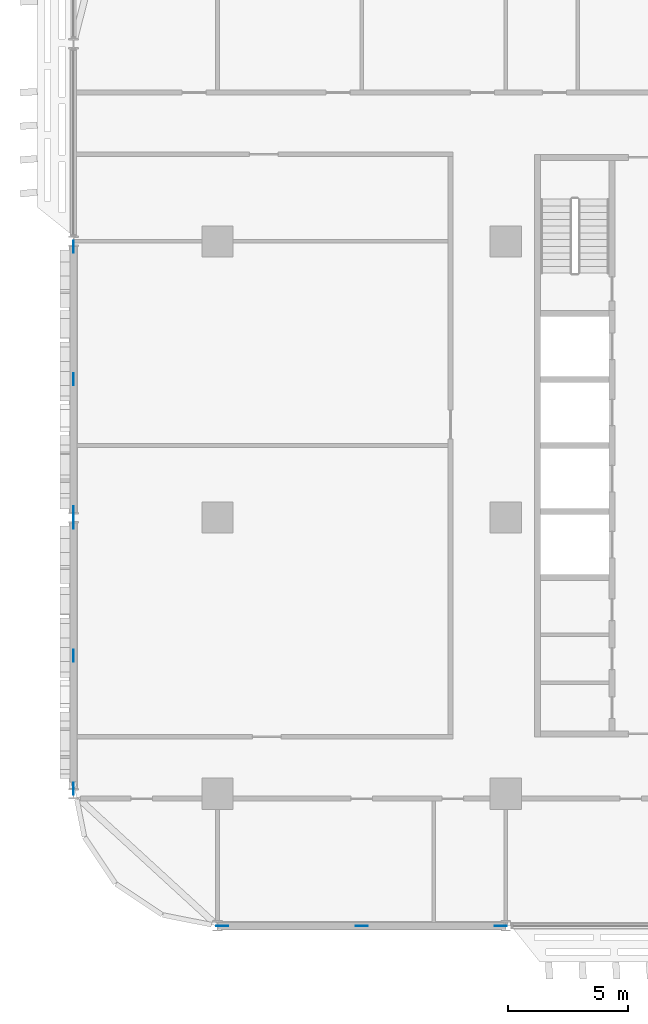
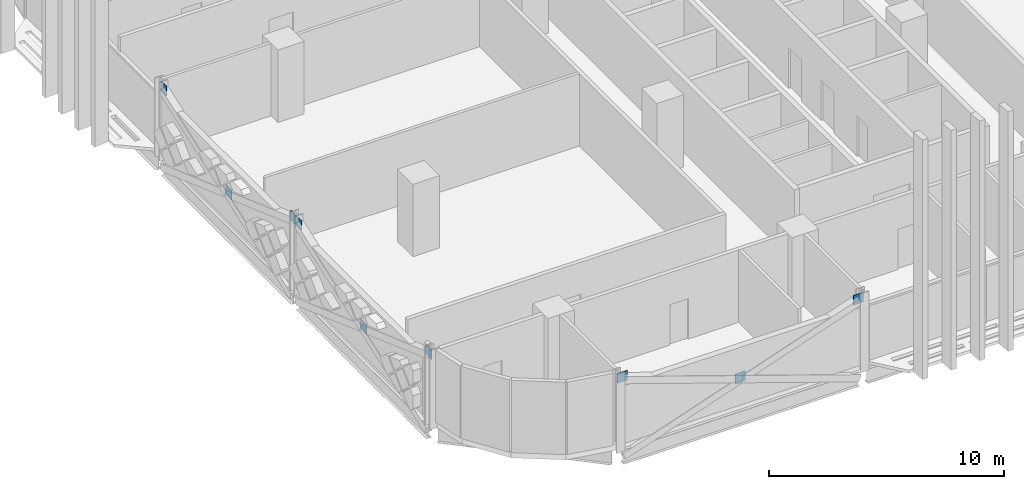
# One storey, part 20 of 32: 9 discrete accessories.
"""IFC4 building model written with IfcOpenShell, lengths in metres."""

from ifc_helpers import new_model, si_unit, direction, frame, origin, origin_2d, place, context, subcontext, project, spatial, rectangle, extrude, material, layer, layer_set, type_object, element, save


model = new_model("IFC4")

# Units and contexts
model_context = context("Model", 3, precision=1e-05, world=origin(), true_north=direction((0.0, 1.0)))
body_context = subcontext(model_context, "Body", "Model", "MODEL_VIEW")
ifc_project = project(units=[si_unit("LENGTHUNIT", "METRE"), si_unit("AREAUNIT", "SQUARE_METRE"), si_unit("VOLUMEUNIT", "CUBIC_METRE"), si_unit("PLANEANGLEUNIT", "RADIAN"), si_unit("MASSUNIT", "GRAM", prefix="KILO")], contexts=[model_context])

# Site, building, storey
site_placement = place(None, origin())
site = spatial("IfcSite", under=ifc_project, at=site_placement, CompositionType="ELEMENT")
building_placement = place(site_placement, origin())
building = spatial("IfcBuilding", under=site, at=building_placement, Name="Mahtab Terrace Research Tower", CompositionType="ELEMENT")
storey_placement = place(building_placement, frame((0.0, 0.0, 138.39990234375)))
storey = spatial("IfcBuildingStorey", under=building, at=storey_placement, Name="L32", CompositionType="ELEMENT", Elevation=138.39990234375)

# Discrete accessories
ifc_material = material(Name="Steel ASTM A992 Gr 50", Category="steel")
ifc_layer = layer(ifc_material, 0.030029296875)
ifc_layer_set = layer_set([ifc_layer], Name="Gusset plate 500x500x30")
discrete_accessory_type = type_object("IfcDiscreteAccessoryType", Name="Gusset plate 500x500x30", PredefinedType="USERDEFINED", material=ifc_layer_set)
for number, where, z_axis, x_axis, name in (
    (1, (-41.794189453125, -17.0, 3.131591796875), (0.0, 0.0, 1.0), (1.0, 0.0, 0.0), "Gusset plate"),
    (2, (-36.0, -17.0, 1.081787109375), (0.0, 0.0, 1.0), (1.0, 0.0, 0.0), "Gusset plate"),
    (3, (-30.205810546875, -17.0, 3.131591796875), (0.0, 0.0, 1.0), (1.0, 0.0, 0.0), "Gusset plate"),
    (4, (-48.0, -11.28271484375, 3.131591796875), (0.0, 0.0, 1.0), (0.0, 1.0, 0.0), "Gusset plate"),
    (5, (-48.0, -5.75, 1.081787109375), (0.0, 0.0, 1.0), (0.0, 1.0, 0.0), "Gusset plate"),
    (6, (-48.0, -0.21728515625, 3.131591796875), (0.0, 0.0, 1.0), (0.0, 1.0, 0.0), "Gusset plate"),
    (7, (-48.0, 0.21728515625, 3.131591796875), (0.0, 0.0, 1.0), (0.0, 1.0, 0.0), "Gusset plate"),
    (8, (-48.0, 5.75, 1.081787109375), (0.0, 0.0, 1.0), (0.0, 1.0, 0.0), "Gusset plate"),
    (9, (-48.0, 11.28271484375, 3.131591796875), (0.0, 0.0, 1.0), (0.0, 1.0, 0.0), "Gusset plate"),
):
    element("IfcDiscreteAccessory", number, at=place(storey_placement, frame(where, z_axis=z_axis, x_axis=x_axis)), inside=storey, type_object=discrete_accessory_type, Name=name, ObjectType="GUSSET PLATE", PredefinedType="USERDEFINED", context=body_context, shape_type="SweptSolid", body=[
        extrude(rectangle(XDim=0.5, YDim=0.030029296875, at=origin_2d()), origin(), (0.0, 0.0, 1.0), 0.5),
    ])

save(model, "model.ifc")
